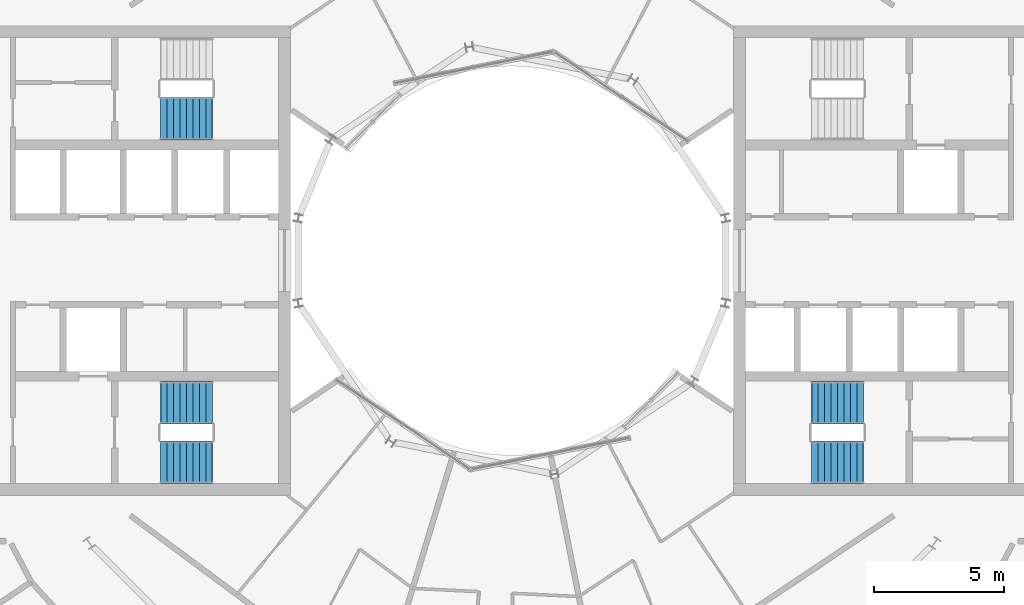
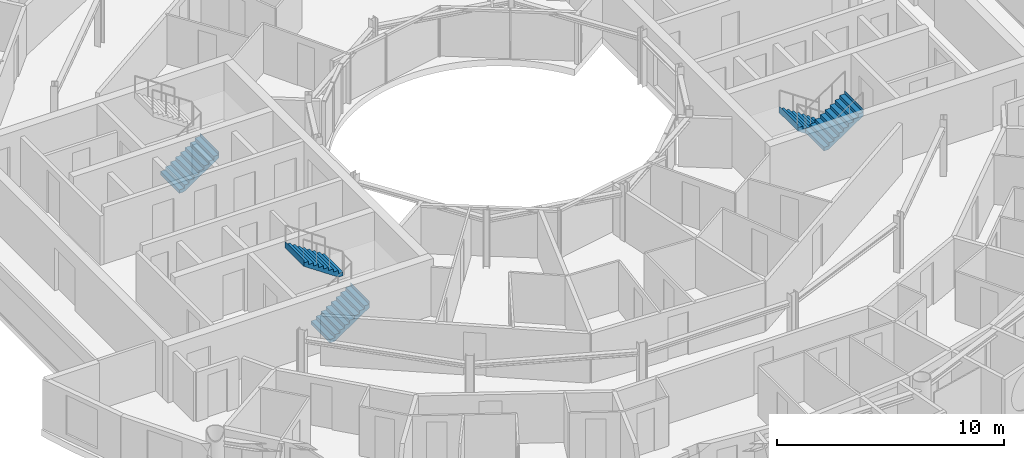
# One storey, part 25 of 28: 5 stair flights, 3 elements without a shape of their own.
"""IFC4 building model written with IfcOpenShell, lengths in metres."""

from ifc_helpers import new_model, si_unit, direction, frame, origin, place, context, subcontext, project, spatial, triangles, material, type_object, element, aggregate, save


model = new_model("IFC4")

# Units and contexts
model_context = context("Model", 3, precision=1e-05, world=origin(), true_north=direction((0.0, 1.0)))
body_context = subcontext(model_context, "Body", "Model", "MODEL_VIEW")
ifc_project = project(units=[si_unit("LENGTHUNIT", "METRE"), si_unit("AREAUNIT", "SQUARE_METRE"), si_unit("VOLUMEUNIT", "CUBIC_METRE"), si_unit("PLANEANGLEUNIT", "RADIAN"), si_unit("MASSUNIT", "GRAM", prefix="KILO")], contexts=[model_context])

# Site, building, storey
site_placement = place(None, origin())
site = spatial("IfcSite", under=ifc_project, at=site_placement, CompositionType="ELEMENT")
building_placement = place(site_placement, origin())
building = spatial("IfcBuilding", under=site, at=building_placement, Name="Maasbend Ring Residences", CompositionType="ELEMENT")
storey_placement = place(building_placement, frame((0.0, 0.0, 218.800048828125)))
storey = spatial("IfcBuildingStorey", under=building, at=storey_placement, Name="L63", CompositionType="ELEMENT", Elevation=218.800048828125)

# Stair, stair flights
ifc_material_1 = material(Name="Concrete C40/50", Category="concrete")
stair_type = type_object("IfcStairType", Name="CORE STAIR 18 RISERS", PredefinedType="HALF_TURN_STAIR", material=ifc_material_1)
stair_1_placement = place(storey_placement, origin())
stair_1 = element("IfcStair", 1, at=stair_1_placement, inside=storey, type_object=stair_type, Name="L63 Exit stair ST-E2", PredefinedType="HALF_TURN_STAIR")
ifc_material_2 = material(Name="Concrete C40/50", Category="concrete")
stair_flight_type = type_object("IfcStairFlightType", Name="CORE STAIR FLIGHT 1650", PredefinedType="STRAIGHT", material=ifc_material_2)
stair_flight_1_placement = place(storey_placement, frame((13.550048828125, -5.47509765625, 0.0), z_axis=(0.0, 0.0, 1.0), x_axis=(-1.0, 0.0, 0.0)))
stair_flight_1 = element("IfcStairFlight", 2, at=stair_flight_1_placement, type_object=stair_flight_type, Name="ST-E2 flight 1", NumberOfRisers=9, NumberOfTreads=8, PredefinedType="STRAIGHT", RiserHeight=0.169444444, TreadLength=0.25, context=body_context, shape_type="Tessellation", body=[
    triangles([(0.24072265625, 0.824951171875, -0.02001953125), (2.0029296875, 0.824951171875, 1.174560546875), (2.0029296875, 0.824951171875, 1.52490234375), (1.989990234375, 0.824951171875, 1.35546875), (1.75, 0.824951171875, 1.35546875), (1.75, 0.824951171875, 1.18603515625), (1.5, 0.824951171875, 1.18603515625), (1.5, 0.824951171875, 1.0166015625), (1.25, 0.824951171875, 1.0166015625), (1.25, 0.824951171875, 0.84716796875), (1.0, 0.824951171875, 0.84716796875), (1.0, 0.824951171875, 0.677734375), (0.75, 0.824951171875, 0.677734375), (0.75, 0.824951171875, 0.50830078125), (0.5, 0.824951171875, 0.50830078125), (0.5, 0.824951171875, 0.3388671875), (0.25, 0.824951171875, 0.3388671875), (0.25, 0.824951171875, 0.16943359375), (0.0, 0.824951171875, 0.16943359375), (0.0, 0.824951171875, 0.0), (-0.0029296875, 0.824951171875, 0.0), (-0.0029296875, 0.824951171875, -0.02001953125), (0.24072265625, 0.27490234375, -0.02001953125), (2.0029296875, 0.27490234375, 1.174560546875), (2.0029296875, 0.27490234375, 1.52490234375), (1.989990234375, 0.27490234375, 1.35546875), (1.75, 0.27490234375, 1.35546875), (1.75, 0.27490234375, 1.18603515625), (1.5, 0.27490234375, 1.18603515625), (1.5, 0.27490234375, 1.0166015625), (1.25, 0.27490234375, 1.0166015625), (1.25, 0.27490234375, 0.84716796875), (1.0, 0.27490234375, 0.84716796875), (1.0, 0.27490234375, 0.677734375), (0.75, 0.27490234375, 0.677734375), (0.75, 0.27490234375, 0.50830078125), (0.5, 0.27490234375, 0.50830078125), (0.5, 0.27490234375, 0.3388671875), (0.25, 0.27490234375, 0.3388671875), (0.25, 0.27490234375, 0.16943359375), (0.0, 0.27490234375, 0.16943359375), (0.0, 0.27490234375, 0.0), (-0.0029296875, 0.27490234375, 0.0), (-0.0029296875, 0.27490234375, -0.02001953125), (0.24072265625, -0.27490234375, -0.02001953125), (2.0029296875, -0.27490234375, 1.174560546875), (2.0029296875, -0.27490234375, 1.52490234375), (1.989990234375, -0.27490234375, 1.35546875), (1.75, -0.27490234375, 1.35546875), (1.75, -0.27490234375, 1.18603515625), (1.5, -0.27490234375, 1.18603515625), (1.5, -0.27490234375, 1.0166015625), (1.25, -0.27490234375, 1.0166015625), (1.25, -0.27490234375, 0.84716796875), (1.0, -0.27490234375, 0.84716796875), (1.0, -0.27490234375, 0.677734375), (0.75, -0.27490234375, 0.677734375), (0.75, -0.27490234375, 0.50830078125), (0.5, -0.27490234375, 0.50830078125), (0.5, -0.27490234375, 0.3388671875), (0.25, -0.27490234375, 0.3388671875), (0.25, -0.27490234375, 0.16943359375), (0.0, -0.27490234375, 0.16943359375), (0.0, -0.27490234375, 0.0), (-0.0029296875, -0.27490234375, 0.0), (-0.0029296875, -0.27490234375, -0.02001953125), (0.24072265625, -0.824951171875, -0.02001953125), (2.0029296875, -0.824951171875, 1.174560546875), (2.0029296875, -0.824951171875, 1.52490234375), (1.989990234375, -0.824951171875, 1.35546875), (1.75, -0.824951171875, 1.35546875), (1.75, -0.824951171875, 1.18603515625), (1.5, -0.824951171875, 1.18603515625), (1.5, -0.824951171875, 1.0166015625), (1.25, -0.824951171875, 1.0166015625), (1.25, -0.824951171875, 0.84716796875), (1.0, -0.824951171875, 0.84716796875), (1.0, -0.824951171875, 0.677734375), (0.75, -0.824951171875, 0.677734375), (0.75, -0.824951171875, 0.50830078125), (0.5, -0.824951171875, 0.50830078125), (0.5, -0.824951171875, 0.3388671875), (0.25, -0.824951171875, 0.3388671875), (0.25, -0.824951171875, 0.16943359375), (0.0, -0.824951171875, 0.16943359375), (0.0, -0.824951171875, 0.0), (-0.0029296875, -0.824951171875, 0.0), (-0.0029296875, -0.824951171875, -0.02001953125)], [[1, 2, 24], [1, 24, 23], [23, 24, 46], [23, 46, 45], [45, 46, 68], [45, 68, 67], [2, 3, 25], [2, 25, 24], [24, 25, 47], [24, 47, 46], [46, 47, 69], [46, 69, 68], [3, 4, 26], [3, 26, 25], [25, 26, 48], [25, 48, 47], [47, 48, 70], [47, 70, 69], [4, 5, 27], [4, 27, 26], [26, 27, 49], [26, 49, 48], [48, 49, 71], [48, 71, 70], [5, 6, 28], [5, 28, 27], [27, 28, 50], [27, 50, 49], [49, 50, 72], [49, 72, 71], [6, 7, 29], [6, 29, 28], [28, 29, 51], [28, 51, 50], [50, 51, 73], [50, 73, 72], [7, 8, 30], [7, 30, 29], [29, 30, 52], [29, 52, 51], [51, 52, 74], [51, 74, 73], [8, 9, 31], [8, 31, 30], [30, 31, 53], [30, 53, 52], [52, 53, 75], [52, 75, 74], [9, 10, 32], [9, 32, 31], [31, 32, 54], [31, 54, 53], [53, 54, 76], [53, 76, 75], [10, 11, 33], [10, 33, 32], [32, 33, 55], [32, 55, 54], [54, 55, 77], [54, 77, 76], [11, 12, 34], [11, 34, 33], [33, 34, 56], [33, 56, 55], [55, 56, 78], [55, 78, 77], [12, 13, 35], [12, 35, 34], [34, 35, 57], [34, 57, 56], [56, 57, 79], [56, 79, 78], [13, 14, 36], [13, 36, 35], [35, 36, 58], [35, 58, 57], [57, 58, 80], [57, 80, 79], [14, 15, 37], [14, 37, 36], [36, 37, 59], [36, 59, 58], [58, 59, 81], [58, 81, 80], [15, 16, 38], [15, 38, 37], [37, 38, 60], [37, 60, 59], [59, 60, 82], [59, 82, 81], [16, 17, 39], [16, 39, 38], [38, 39, 61], [38, 61, 60], [60, 61, 83], [60, 83, 82], [17, 18, 40], [17, 40, 39], [39, 40, 62], [39, 62, 61], [61, 62, 84], [61, 84, 83], [18, 19, 41], [18, 41, 40], [40, 41, 63], [40, 63, 62], [62, 63, 85], [62, 85, 84], [19, 20, 42], [19, 42, 41], [41, 42, 64], [41, 64, 63], [63, 64, 86], [63, 86, 85], [20, 21, 43], [20, 43, 42], [42, 43, 65], [42, 65, 64], [64, 65, 87], [64, 87, 86], [21, 22, 44], [21, 44, 43], [43, 44, 66], [43, 66, 65], [65, 66, 88], [65, 88, 87], [22, 1, 23], [22, 23, 44], [44, 23, 45], [44, 45, 66], [66, 45, 67], [66, 67, 88], [22, 2, 1], [2, 4, 3], [2, 5, 4], [2, 6, 5], [22, 6, 2], [6, 8, 7], [22, 8, 6], [8, 10, 9], [22, 10, 8], [10, 12, 11], [22, 12, 10], [12, 14, 13], [22, 14, 12], [14, 16, 15], [22, 16, 14], [16, 18, 17], [22, 18, 16], [18, 20, 19], [22, 20, 18], [20, 22, 21], [88, 67, 68], [68, 69, 70], [68, 70, 71], [68, 71, 72], [88, 68, 72], [72, 73, 74], [88, 72, 74], [74, 75, 76], [88, 74, 76], [76, 77, 78], [88, 76, 78], [78, 79, 80], [88, 78, 80], [80, 81, 82], [88, 80, 82], [82, 83, 84], [88, 82, 84], [84, 85, 86], [88, 84, 86], [86, 87, 88]], closed=True),
])
stair_flight_2_placement = place(storey_placement, frame((11.550048828125, -7.77490234375, 1.52490234375), z_axis=(0.0, 0.0, 1.0), x_axis=(1.0, 0.0, 0.0)))
stair_flight_2 = element("IfcStairFlight", 3, at=stair_flight_2_placement, type_object=stair_flight_type, Name="ST-E2 flight 2", NumberOfRisers=9, NumberOfTreads=8, PredefinedType="STRAIGHT", RiserHeight=0.169444444, TreadLength=0.25, context=body_context, shape_type="Tessellation", body=[
    triangles([(0.24072265625, 0.824951171875, -0.02001953125), (2.0029296875, 0.824951171875, 1.174560546875), (2.0029296875, 0.824951171875, 1.52490234375), (1.989990234375, 0.824951171875, 1.35546875), (1.75, 0.824951171875, 1.35546875), (1.75, 0.824951171875, 1.18603515625), (1.5, 0.824951171875, 1.18603515625), (1.5, 0.824951171875, 1.0166015625), (1.25, 0.824951171875, 1.0166015625), (1.25, 0.824951171875, 0.84716796875), (1.0, 0.824951171875, 0.84716796875), (1.0, 0.824951171875, 0.677734375), (0.75, 0.824951171875, 0.677734375), (0.75, 0.824951171875, 0.50830078125), (0.5, 0.824951171875, 0.50830078125), (0.5, 0.824951171875, 0.3388671875), (0.25, 0.824951171875, 0.3388671875), (0.25, 0.824951171875, 0.16943359375), (0.0, 0.824951171875, 0.16943359375), (0.0, 0.824951171875, 0.0), (-0.0029296875, 0.824951171875, 0.0), (-0.0029296875, 0.824951171875, -0.02001953125), (0.24072265625, 0.27490234375, -0.02001953125), (2.0029296875, 0.27490234375, 1.174560546875), (2.0029296875, 0.27490234375, 1.52490234375), (1.989990234375, 0.27490234375, 1.35546875), (1.75, 0.27490234375, 1.35546875), (1.75, 0.27490234375, 1.18603515625), (1.5, 0.27490234375, 1.18603515625), (1.5, 0.27490234375, 1.0166015625), (1.25, 0.27490234375, 1.0166015625), (1.25, 0.27490234375, 0.84716796875), (1.0, 0.27490234375, 0.84716796875), (1.0, 0.27490234375, 0.677734375), (0.75, 0.27490234375, 0.677734375), (0.75, 0.27490234375, 0.50830078125), (0.5, 0.27490234375, 0.50830078125), (0.5, 0.27490234375, 0.3388671875), (0.25, 0.27490234375, 0.3388671875), (0.25, 0.27490234375, 0.16943359375), (0.0, 0.27490234375, 0.16943359375), (0.0, 0.27490234375, 0.0), (-0.0029296875, 0.27490234375, 0.0), (-0.0029296875, 0.27490234375, -0.02001953125), (0.24072265625, -0.27490234375, -0.02001953125), (2.0029296875, -0.27490234375, 1.174560546875), (2.0029296875, -0.27490234375, 1.52490234375), (1.989990234375, -0.27490234375, 1.35546875), (1.75, -0.27490234375, 1.35546875), (1.75, -0.27490234375, 1.18603515625), (1.5, -0.27490234375, 1.18603515625), (1.5, -0.27490234375, 1.0166015625), (1.25, -0.27490234375, 1.0166015625), (1.25, -0.27490234375, 0.84716796875), (1.0, -0.27490234375, 0.84716796875), (1.0, -0.27490234375, 0.677734375), (0.75, -0.27490234375, 0.677734375), (0.75, -0.27490234375, 0.50830078125), (0.5, -0.27490234375, 0.50830078125), (0.5, -0.27490234375, 0.3388671875), (0.25, -0.27490234375, 0.3388671875), (0.25, -0.27490234375, 0.16943359375), (0.0, -0.27490234375, 0.16943359375), (0.0, -0.27490234375, 0.0), (-0.0029296875, -0.27490234375, 0.0), (-0.0029296875, -0.27490234375, -0.02001953125), (0.24072265625, -0.824951171875, -0.02001953125), (2.0029296875, -0.824951171875, 1.174560546875), (2.0029296875, -0.824951171875, 1.52490234375), (1.989990234375, -0.824951171875, 1.35546875), (1.75, -0.824951171875, 1.35546875), (1.75, -0.824951171875, 1.18603515625), (1.5, -0.824951171875, 1.18603515625), (1.5, -0.824951171875, 1.0166015625), (1.25, -0.824951171875, 1.0166015625), (1.25, -0.824951171875, 0.84716796875), (1.0, -0.824951171875, 0.84716796875), (1.0, -0.824951171875, 0.677734375), (0.75, -0.824951171875, 0.677734375), (0.75, -0.824951171875, 0.50830078125), (0.5, -0.824951171875, 0.50830078125), (0.5, -0.824951171875, 0.3388671875), (0.25, -0.824951171875, 0.3388671875), (0.25, -0.824951171875, 0.16943359375), (0.0, -0.824951171875, 0.16943359375), (0.0, -0.824951171875, 0.0), (-0.0029296875, -0.824951171875, 0.0), (-0.0029296875, -0.824951171875, -0.02001953125)], [[1, 2, 24], [1, 24, 23], [23, 24, 46], [23, 46, 45], [45, 46, 68], [45, 68, 67], [2, 3, 25], [2, 25, 24], [24, 25, 47], [24, 47, 46], [46, 47, 69], [46, 69, 68], [3, 4, 26], [3, 26, 25], [25, 26, 48], [25, 48, 47], [47, 48, 70], [47, 70, 69], [4, 5, 27], [4, 27, 26], [26, 27, 49], [26, 49, 48], [48, 49, 71], [48, 71, 70], [5, 6, 28], [5, 28, 27], [27, 28, 50], [27, 50, 49], [49, 50, 72], [49, 72, 71], [6, 7, 29], [6, 29, 28], [28, 29, 51], [28, 51, 50], [50, 51, 73], [50, 73, 72], [7, 8, 30], [7, 30, 29], [29, 30, 52], [29, 52, 51], [51, 52, 74], [51, 74, 73], [8, 9, 31], [8, 31, 30], [30, 31, 53], [30, 53, 52], [52, 53, 75], [52, 75, 74], [9, 10, 32], [9, 32, 31], [31, 32, 54], [31, 54, 53], [53, 54, 76], [53, 76, 75], [10, 11, 33], [10, 33, 32], [32, 33, 55], [32, 55, 54], [54, 55, 77], [54, 77, 76], [11, 12, 34], [11, 34, 33], [33, 34, 56], [33, 56, 55], [55, 56, 78], [55, 78, 77], [12, 13, 35], [12, 35, 34], [34, 35, 57], [34, 57, 56], [56, 57, 79], [56, 79, 78], [13, 14, 36], [13, 36, 35], [35, 36, 58], [35, 58, 57], [57, 58, 80], [57, 80, 79], [14, 15, 37], [14, 37, 36], [36, 37, 59], [36, 59, 58], [58, 59, 81], [58, 81, 80], [15, 16, 38], [15, 38, 37], [37, 38, 60], [37, 60, 59], [59, 60, 82], [59, 82, 81], [16, 17, 39], [16, 39, 38], [38, 39, 61], [38, 61, 60], [60, 61, 83], [60, 83, 82], [17, 18, 40], [17, 40, 39], [39, 40, 62], [39, 62, 61], [61, 62, 84], [61, 84, 83], [18, 19, 41], [18, 41, 40], [40, 41, 63], [40, 63, 62], [62, 63, 85], [62, 85, 84], [19, 20, 42], [19, 42, 41], [41, 42, 64], [41, 64, 63], [63, 64, 86], [63, 86, 85], [20, 21, 43], [20, 43, 42], [42, 43, 65], [42, 65, 64], [64, 65, 87], [64, 87, 86], [21, 22, 44], [21, 44, 43], [43, 44, 66], [43, 66, 65], [65, 66, 88], [65, 88, 87], [22, 1, 23], [22, 23, 44], [44, 23, 45], [44, 45, 66], [66, 45, 67], [66, 67, 88], [22, 2, 1], [2, 4, 3], [2, 5, 4], [2, 6, 5], [22, 6, 2], [6, 8, 7], [22, 8, 6], [8, 10, 9], [22, 10, 8], [10, 12, 11], [22, 12, 10], [12, 14, 13], [22, 14, 12], [14, 16, 15], [22, 16, 14], [16, 18, 17], [22, 18, 16], [18, 20, 19], [22, 20, 18], [20, 22, 21], [88, 67, 68], [68, 69, 70], [68, 70, 71], [68, 71, 72], [88, 68, 72], [72, 73, 74], [88, 72, 74], [74, 75, 76], [88, 74, 76], [76, 77, 78], [88, 76, 78], [78, 79, 80], [88, 78, 80], [80, 81, 82], [88, 80, 82], [82, 83, 84], [88, 82, 84], [84, 85, 86], [88, 84, 86], [86, 87, 88]], closed=True),
])
aggregate(stair_1, [stair_flight_1, stair_flight_2])

stair_2_placement = place(storey_placement, origin())
stair_2 = element("IfcStair", 4, at=stair_2_placement, inside=storey, type_object=stair_type, Name="L63 Exit stair ST-W1", PredefinedType="HALF_TURN_STAIR")
stair_flight_3_placement = place(storey_placement, frame((-13.550048828125, -7.77490234375, 0.0), z_axis=(0.0, 0.0, 1.0), x_axis=(1.0, 0.0, 0.0)))
stair_flight_3 = element("IfcStairFlight", 5, at=stair_flight_3_placement, type_object=stair_flight_type, Name="ST-W1 flight 1", NumberOfRisers=9, NumberOfTreads=8, PredefinedType="STRAIGHT", RiserHeight=0.169444444, TreadLength=0.25, context=body_context, shape_type="Tessellation", body=[
    triangles([(0.24072265625, 0.824951171875, -0.02001953125), (2.0029296875, 0.824951171875, 1.174560546875), (2.0029296875, 0.824951171875, 1.52490234375), (1.989990234375, 0.824951171875, 1.35546875), (1.75, 0.824951171875, 1.35546875), (1.75, 0.824951171875, 1.18603515625), (1.5, 0.824951171875, 1.18603515625), (1.5, 0.824951171875, 1.0166015625), (1.25, 0.824951171875, 1.0166015625), (1.25, 0.824951171875, 0.84716796875), (1.0, 0.824951171875, 0.84716796875), (1.0, 0.824951171875, 0.677734375), (0.75, 0.824951171875, 0.677734375), (0.75, 0.824951171875, 0.50830078125), (0.5, 0.824951171875, 0.50830078125), (0.5, 0.824951171875, 0.3388671875), (0.25, 0.824951171875, 0.3388671875), (0.25, 0.824951171875, 0.16943359375), (0.0, 0.824951171875, 0.16943359375), (0.0, 0.824951171875, 0.0), (-0.0029296875, 0.824951171875, 0.0), (-0.0029296875, 0.824951171875, -0.02001953125), (0.24072265625, 0.27490234375, -0.02001953125), (2.0029296875, 0.27490234375, 1.174560546875), (2.0029296875, 0.27490234375, 1.52490234375), (1.989990234375, 0.27490234375, 1.35546875), (1.75, 0.27490234375, 1.35546875), (1.75, 0.27490234375, 1.18603515625), (1.5, 0.27490234375, 1.18603515625), (1.5, 0.27490234375, 1.0166015625), (1.25, 0.27490234375, 1.0166015625), (1.25, 0.27490234375, 0.84716796875), (1.0, 0.27490234375, 0.84716796875), (1.0, 0.27490234375, 0.677734375), (0.75, 0.27490234375, 0.677734375), (0.75, 0.27490234375, 0.50830078125), (0.5, 0.27490234375, 0.50830078125), (0.5, 0.27490234375, 0.3388671875), (0.25, 0.27490234375, 0.3388671875), (0.25, 0.27490234375, 0.16943359375), (0.0, 0.27490234375, 0.16943359375), (0.0, 0.27490234375, 0.0), (-0.0029296875, 0.27490234375, 0.0), (-0.0029296875, 0.27490234375, -0.02001953125), (0.24072265625, -0.27490234375, -0.02001953125), (2.0029296875, -0.27490234375, 1.174560546875), (2.0029296875, -0.27490234375, 1.52490234375), (1.989990234375, -0.27490234375, 1.35546875), (1.75, -0.27490234375, 1.35546875), (1.75, -0.27490234375, 1.18603515625), (1.5, -0.27490234375, 1.18603515625), (1.5, -0.27490234375, 1.0166015625), (1.25, -0.27490234375, 1.0166015625), (1.25, -0.27490234375, 0.84716796875), (1.0, -0.27490234375, 0.84716796875), (1.0, -0.27490234375, 0.677734375), (0.75, -0.27490234375, 0.677734375), (0.75, -0.27490234375, 0.50830078125), (0.5, -0.27490234375, 0.50830078125), (0.5, -0.27490234375, 0.3388671875), (0.25, -0.27490234375, 0.3388671875), (0.25, -0.27490234375, 0.16943359375), (0.0, -0.27490234375, 0.16943359375), (0.0, -0.27490234375, 0.0), (-0.0029296875, -0.27490234375, 0.0), (-0.0029296875, -0.27490234375, -0.02001953125), (0.24072265625, -0.824951171875, -0.02001953125), (2.0029296875, -0.824951171875, 1.174560546875), (2.0029296875, -0.824951171875, 1.52490234375), (1.989990234375, -0.824951171875, 1.35546875), (1.75, -0.824951171875, 1.35546875), (1.75, -0.824951171875, 1.18603515625), (1.5, -0.824951171875, 1.18603515625), (1.5, -0.824951171875, 1.0166015625), (1.25, -0.824951171875, 1.0166015625), (1.25, -0.824951171875, 0.84716796875), (1.0, -0.824951171875, 0.84716796875), (1.0, -0.824951171875, 0.677734375), (0.75, -0.824951171875, 0.677734375), (0.75, -0.824951171875, 0.50830078125), (0.5, -0.824951171875, 0.50830078125), (0.5, -0.824951171875, 0.3388671875), (0.25, -0.824951171875, 0.3388671875), (0.25, -0.824951171875, 0.16943359375), (0.0, -0.824951171875, 0.16943359375), (0.0, -0.824951171875, 0.0), (-0.0029296875, -0.824951171875, 0.0), (-0.0029296875, -0.824951171875, -0.02001953125)], [[1, 2, 24], [1, 24, 23], [23, 24, 46], [23, 46, 45], [45, 46, 68], [45, 68, 67], [2, 3, 25], [2, 25, 24], [24, 25, 47], [24, 47, 46], [46, 47, 69], [46, 69, 68], [3, 4, 26], [3, 26, 25], [25, 26, 48], [25, 48, 47], [47, 48, 70], [47, 70, 69], [4, 5, 27], [4, 27, 26], [26, 27, 49], [26, 49, 48], [48, 49, 71], [48, 71, 70], [5, 6, 28], [5, 28, 27], [27, 28, 50], [27, 50, 49], [49, 50, 72], [49, 72, 71], [6, 7, 29], [6, 29, 28], [28, 29, 51], [28, 51, 50], [50, 51, 73], [50, 73, 72], [7, 8, 30], [7, 30, 29], [29, 30, 52], [29, 52, 51], [51, 52, 74], [51, 74, 73], [8, 9, 31], [8, 31, 30], [30, 31, 53], [30, 53, 52], [52, 53, 75], [52, 75, 74], [9, 10, 32], [9, 32, 31], [31, 32, 54], [31, 54, 53], [53, 54, 76], [53, 76, 75], [10, 11, 33], [10, 33, 32], [32, 33, 55], [32, 55, 54], [54, 55, 77], [54, 77, 76], [11, 12, 34], [11, 34, 33], [33, 34, 56], [33, 56, 55], [55, 56, 78], [55, 78, 77], [12, 13, 35], [12, 35, 34], [34, 35, 57], [34, 57, 56], [56, 57, 79], [56, 79, 78], [13, 14, 36], [13, 36, 35], [35, 36, 58], [35, 58, 57], [57, 58, 80], [57, 80, 79], [14, 15, 37], [14, 37, 36], [36, 37, 59], [36, 59, 58], [58, 59, 81], [58, 81, 80], [15, 16, 38], [15, 38, 37], [37, 38, 60], [37, 60, 59], [59, 60, 82], [59, 82, 81], [16, 17, 39], [16, 39, 38], [38, 39, 61], [38, 61, 60], [60, 61, 83], [60, 83, 82], [17, 18, 40], [17, 40, 39], [39, 40, 62], [39, 62, 61], [61, 62, 84], [61, 84, 83], [18, 19, 41], [18, 41, 40], [40, 41, 63], [40, 63, 62], [62, 63, 85], [62, 85, 84], [19, 20, 42], [19, 42, 41], [41, 42, 64], [41, 64, 63], [63, 64, 86], [63, 86, 85], [20, 21, 43], [20, 43, 42], [42, 43, 65], [42, 65, 64], [64, 65, 87], [64, 87, 86], [21, 22, 44], [21, 44, 43], [43, 44, 66], [43, 66, 65], [65, 66, 88], [65, 88, 87], [22, 1, 23], [22, 23, 44], [44, 23, 45], [44, 45, 66], [66, 45, 67], [66, 67, 88], [22, 2, 1], [2, 4, 3], [2, 5, 4], [2, 6, 5], [22, 6, 2], [6, 8, 7], [22, 8, 6], [8, 10, 9], [22, 10, 8], [10, 12, 11], [22, 12, 10], [12, 14, 13], [22, 14, 12], [14, 16, 15], [22, 16, 14], [16, 18, 17], [22, 18, 16], [18, 20, 19], [22, 20, 18], [20, 22, 21], [88, 67, 68], [68, 69, 70], [68, 70, 71], [68, 71, 72], [88, 68, 72], [72, 73, 74], [88, 72, 74], [74, 75, 76], [88, 74, 76], [76, 77, 78], [88, 76, 78], [78, 79, 80], [88, 78, 80], [80, 81, 82], [88, 80, 82], [82, 83, 84], [88, 82, 84], [84, 85, 86], [88, 84, 86], [86, 87, 88]], closed=True),
])
stair_flight_4_placement = place(storey_placement, frame((-11.550048828125, -5.47509765625, 1.52490234375), z_axis=(0.0, 0.0, 1.0), x_axis=(-1.0, 0.0, 0.0)))
stair_flight_4 = element("IfcStairFlight", 6, at=stair_flight_4_placement, type_object=stair_flight_type, Name="ST-W1 flight 2", NumberOfRisers=9, NumberOfTreads=8, PredefinedType="STRAIGHT", RiserHeight=0.169444444, TreadLength=0.25, context=body_context, shape_type="Tessellation", body=[
    triangles([(0.24072265625, 0.824951171875, -0.02001953125), (2.0029296875, 0.824951171875, 1.174560546875), (2.0029296875, 0.824951171875, 1.52490234375), (1.989990234375, 0.824951171875, 1.35546875), (1.75, 0.824951171875, 1.35546875), (1.75, 0.824951171875, 1.18603515625), (1.5, 0.824951171875, 1.18603515625), (1.5, 0.824951171875, 1.0166015625), (1.25, 0.824951171875, 1.0166015625), (1.25, 0.824951171875, 0.84716796875), (1.0, 0.824951171875, 0.84716796875), (1.0, 0.824951171875, 0.677734375), (0.75, 0.824951171875, 0.677734375), (0.75, 0.824951171875, 0.50830078125), (0.5, 0.824951171875, 0.50830078125), (0.5, 0.824951171875, 0.3388671875), (0.25, 0.824951171875, 0.3388671875), (0.25, 0.824951171875, 0.16943359375), (0.0, 0.824951171875, 0.16943359375), (0.0, 0.824951171875, 0.0), (-0.0029296875, 0.824951171875, 0.0), (-0.0029296875, 0.824951171875, -0.02001953125), (0.24072265625, 0.27490234375, -0.02001953125), (2.0029296875, 0.27490234375, 1.174560546875), (2.0029296875, 0.27490234375, 1.52490234375), (1.989990234375, 0.27490234375, 1.35546875), (1.75, 0.27490234375, 1.35546875), (1.75, 0.27490234375, 1.18603515625), (1.5, 0.27490234375, 1.18603515625), (1.5, 0.27490234375, 1.0166015625), (1.25, 0.27490234375, 1.0166015625), (1.25, 0.27490234375, 0.84716796875), (1.0, 0.27490234375, 0.84716796875), (1.0, 0.27490234375, 0.677734375), (0.75, 0.27490234375, 0.677734375), (0.75, 0.27490234375, 0.50830078125), (0.5, 0.27490234375, 0.50830078125), (0.5, 0.27490234375, 0.3388671875), (0.25, 0.27490234375, 0.3388671875), (0.25, 0.27490234375, 0.16943359375), (0.0, 0.27490234375, 0.16943359375), (0.0, 0.27490234375, 0.0), (-0.0029296875, 0.27490234375, 0.0), (-0.0029296875, 0.27490234375, -0.02001953125), (0.24072265625, -0.27490234375, -0.02001953125), (2.0029296875, -0.27490234375, 1.174560546875), (2.0029296875, -0.27490234375, 1.52490234375), (1.989990234375, -0.27490234375, 1.35546875), (1.75, -0.27490234375, 1.35546875), (1.75, -0.27490234375, 1.18603515625), (1.5, -0.27490234375, 1.18603515625), (1.5, -0.27490234375, 1.0166015625), (1.25, -0.27490234375, 1.0166015625), (1.25, -0.27490234375, 0.84716796875), (1.0, -0.27490234375, 0.84716796875), (1.0, -0.27490234375, 0.677734375), (0.75, -0.27490234375, 0.677734375), (0.75, -0.27490234375, 0.50830078125), (0.5, -0.27490234375, 0.50830078125), (0.5, -0.27490234375, 0.3388671875), (0.25, -0.27490234375, 0.3388671875), (0.25, -0.27490234375, 0.16943359375), (0.0, -0.27490234375, 0.16943359375), (0.0, -0.27490234375, 0.0), (-0.0029296875, -0.27490234375, 0.0), (-0.0029296875, -0.27490234375, -0.02001953125), (0.24072265625, -0.824951171875, -0.02001953125), (2.0029296875, -0.824951171875, 1.174560546875), (2.0029296875, -0.824951171875, 1.52490234375), (1.989990234375, -0.824951171875, 1.35546875), (1.75, -0.824951171875, 1.35546875), (1.75, -0.824951171875, 1.18603515625), (1.5, -0.824951171875, 1.18603515625), (1.5, -0.824951171875, 1.0166015625), (1.25, -0.824951171875, 1.0166015625), (1.25, -0.824951171875, 0.84716796875), (1.0, -0.824951171875, 0.84716796875), (1.0, -0.824951171875, 0.677734375), (0.75, -0.824951171875, 0.677734375), (0.75, -0.824951171875, 0.50830078125), (0.5, -0.824951171875, 0.50830078125), (0.5, -0.824951171875, 0.3388671875), (0.25, -0.824951171875, 0.3388671875), (0.25, -0.824951171875, 0.16943359375), (0.0, -0.824951171875, 0.16943359375), (0.0, -0.824951171875, 0.0), (-0.0029296875, -0.824951171875, 0.0), (-0.0029296875, -0.824951171875, -0.02001953125)], [[1, 2, 24], [1, 24, 23], [23, 24, 46], [23, 46, 45], [45, 46, 68], [45, 68, 67], [2, 3, 25], [2, 25, 24], [24, 25, 47], [24, 47, 46], [46, 47, 69], [46, 69, 68], [3, 4, 26], [3, 26, 25], [25, 26, 48], [25, 48, 47], [47, 48, 70], [47, 70, 69], [4, 5, 27], [4, 27, 26], [26, 27, 49], [26, 49, 48], [48, 49, 71], [48, 71, 70], [5, 6, 28], [5, 28, 27], [27, 28, 50], [27, 50, 49], [49, 50, 72], [49, 72, 71], [6, 7, 29], [6, 29, 28], [28, 29, 51], [28, 51, 50], [50, 51, 73], [50, 73, 72], [7, 8, 30], [7, 30, 29], [29, 30, 52], [29, 52, 51], [51, 52, 74], [51, 74, 73], [8, 9, 31], [8, 31, 30], [30, 31, 53], [30, 53, 52], [52, 53, 75], [52, 75, 74], [9, 10, 32], [9, 32, 31], [31, 32, 54], [31, 54, 53], [53, 54, 76], [53, 76, 75], [10, 11, 33], [10, 33, 32], [32, 33, 55], [32, 55, 54], [54, 55, 77], [54, 77, 76], [11, 12, 34], [11, 34, 33], [33, 34, 56], [33, 56, 55], [55, 56, 78], [55, 78, 77], [12, 13, 35], [12, 35, 34], [34, 35, 57], [34, 57, 56], [56, 57, 79], [56, 79, 78], [13, 14, 36], [13, 36, 35], [35, 36, 58], [35, 58, 57], [57, 58, 80], [57, 80, 79], [14, 15, 37], [14, 37, 36], [36, 37, 59], [36, 59, 58], [58, 59, 81], [58, 81, 80], [15, 16, 38], [15, 38, 37], [37, 38, 60], [37, 60, 59], [59, 60, 82], [59, 82, 81], [16, 17, 39], [16, 39, 38], [38, 39, 61], [38, 61, 60], [60, 61, 83], [60, 83, 82], [17, 18, 40], [17, 40, 39], [39, 40, 62], [39, 62, 61], [61, 62, 84], [61, 84, 83], [18, 19, 41], [18, 41, 40], [40, 41, 63], [40, 63, 62], [62, 63, 85], [62, 85, 84], [19, 20, 42], [19, 42, 41], [41, 42, 64], [41, 64, 63], [63, 64, 86], [63, 86, 85], [20, 21, 43], [20, 43, 42], [42, 43, 65], [42, 65, 64], [64, 65, 87], [64, 87, 86], [21, 22, 44], [21, 44, 43], [43, 44, 66], [43, 66, 65], [65, 66, 88], [65, 88, 87], [22, 1, 23], [22, 23, 44], [44, 23, 45], [44, 45, 66], [66, 45, 67], [66, 67, 88], [22, 2, 1], [2, 4, 3], [2, 5, 4], [2, 6, 5], [22, 6, 2], [6, 8, 7], [22, 8, 6], [8, 10, 9], [22, 10, 8], [10, 12, 11], [22, 12, 10], [12, 14, 13], [22, 14, 12], [14, 16, 15], [22, 16, 14], [16, 18, 17], [22, 18, 16], [18, 20, 19], [22, 20, 18], [20, 22, 21], [88, 67, 68], [68, 69, 70], [68, 70, 71], [68, 71, 72], [88, 68, 72], [72, 73, 74], [88, 72, 74], [74, 75, 76], [88, 74, 76], [76, 77, 78], [88, 76, 78], [78, 79, 80], [88, 78, 80], [80, 81, 82], [88, 80, 82], [82, 83, 84], [88, 82, 84], [84, 85, 86], [88, 84, 86], [86, 87, 88]], closed=True),
])
aggregate(stair_2, [stair_flight_3, stair_flight_4])

# Stair, stair flight
stair_3_placement = place(storey_placement, origin())
stair_3 = element("IfcStair", 7, at=stair_3_placement, inside=storey, type_object=stair_type, Name="L63 Exit stair ST-W2", PredefinedType="HALF_TURN_STAIR")
stair_flight_5_placement = place(storey_placement, frame((-13.550048828125, 5.47509765625, 0.0), z_axis=(0.0, 0.0, 1.0), x_axis=(1.0, 0.0, 0.0)))
stair_flight_5 = element("IfcStairFlight", 8, at=stair_flight_5_placement, type_object=stair_flight_type, Name="ST-W2 flight 1", NumberOfRisers=9, NumberOfTreads=8, PredefinedType="STRAIGHT", RiserHeight=0.169444444, TreadLength=0.25, context=body_context, shape_type="Tessellation", body=[
    triangles([(0.24072265625, 0.824951171875, -0.02001953125), (2.0029296875, 0.824951171875, 1.174560546875), (2.0029296875, 0.824951171875, 1.52490234375), (1.989990234375, 0.824951171875, 1.35546875), (1.75, 0.824951171875, 1.35546875), (1.75, 0.824951171875, 1.18603515625), (1.5, 0.824951171875, 1.18603515625), (1.5, 0.824951171875, 1.0166015625), (1.25, 0.824951171875, 1.0166015625), (1.25, 0.824951171875, 0.84716796875), (1.0, 0.824951171875, 0.84716796875), (1.0, 0.824951171875, 0.677734375), (0.75, 0.824951171875, 0.677734375), (0.75, 0.824951171875, 0.50830078125), (0.5, 0.824951171875, 0.50830078125), (0.5, 0.824951171875, 0.3388671875), (0.25, 0.824951171875, 0.3388671875), (0.25, 0.824951171875, 0.16943359375), (0.0, 0.824951171875, 0.16943359375), (0.0, 0.824951171875, 0.0), (-0.0029296875, 0.824951171875, 0.0), (-0.0029296875, 0.824951171875, -0.02001953125), (0.24072265625, 0.27490234375, -0.02001953125), (2.0029296875, 0.27490234375, 1.174560546875), (2.0029296875, 0.27490234375, 1.52490234375), (1.989990234375, 0.27490234375, 1.35546875), (1.75, 0.27490234375, 1.35546875), (1.75, 0.27490234375, 1.18603515625), (1.5, 0.27490234375, 1.18603515625), (1.5, 0.27490234375, 1.0166015625), (1.25, 0.27490234375, 1.0166015625), (1.25, 0.27490234375, 0.84716796875), (1.0, 0.27490234375, 0.84716796875), (1.0, 0.27490234375, 0.677734375), (0.75, 0.27490234375, 0.677734375), (0.75, 0.27490234375, 0.50830078125), (0.5, 0.27490234375, 0.50830078125), (0.5, 0.27490234375, 0.3388671875), (0.25, 0.27490234375, 0.3388671875), (0.25, 0.27490234375, 0.16943359375), (0.0, 0.27490234375, 0.16943359375), (0.0, 0.27490234375, 0.0), (-0.0029296875, 0.27490234375, 0.0), (-0.0029296875, 0.27490234375, -0.02001953125), (0.24072265625, -0.27490234375, -0.02001953125), (2.0029296875, -0.27490234375, 1.174560546875), (2.0029296875, -0.27490234375, 1.52490234375), (1.989990234375, -0.27490234375, 1.35546875), (1.75, -0.27490234375, 1.35546875), (1.75, -0.27490234375, 1.18603515625), (1.5, -0.27490234375, 1.18603515625), (1.5, -0.27490234375, 1.0166015625), (1.25, -0.27490234375, 1.0166015625), (1.25, -0.27490234375, 0.84716796875), (1.0, -0.27490234375, 0.84716796875), (1.0, -0.27490234375, 0.677734375), (0.75, -0.27490234375, 0.677734375), (0.75, -0.27490234375, 0.50830078125), (0.5, -0.27490234375, 0.50830078125), (0.5, -0.27490234375, 0.3388671875), (0.25, -0.27490234375, 0.3388671875), (0.25, -0.27490234375, 0.16943359375), (0.0, -0.27490234375, 0.16943359375), (0.0, -0.27490234375, 0.0), (-0.0029296875, -0.27490234375, 0.0), (-0.0029296875, -0.27490234375, -0.02001953125), (0.24072265625, -0.824951171875, -0.02001953125), (2.0029296875, -0.824951171875, 1.174560546875), (2.0029296875, -0.824951171875, 1.52490234375), (1.989990234375, -0.824951171875, 1.35546875), (1.75, -0.824951171875, 1.35546875), (1.75, -0.824951171875, 1.18603515625), (1.5, -0.824951171875, 1.18603515625), (1.5, -0.824951171875, 1.0166015625), (1.25, -0.824951171875, 1.0166015625), (1.25, -0.824951171875, 0.84716796875), (1.0, -0.824951171875, 0.84716796875), (1.0, -0.824951171875, 0.677734375), (0.75, -0.824951171875, 0.677734375), (0.75, -0.824951171875, 0.50830078125), (0.5, -0.824951171875, 0.50830078125), (0.5, -0.824951171875, 0.3388671875), (0.25, -0.824951171875, 0.3388671875), (0.25, -0.824951171875, 0.16943359375), (0.0, -0.824951171875, 0.16943359375), (0.0, -0.824951171875, 0.0), (-0.0029296875, -0.824951171875, 0.0), (-0.0029296875, -0.824951171875, -0.02001953125)], [[1, 2, 24], [1, 24, 23], [23, 24, 46], [23, 46, 45], [45, 46, 68], [45, 68, 67], [2, 3, 25], [2, 25, 24], [24, 25, 47], [24, 47, 46], [46, 47, 69], [46, 69, 68], [3, 4, 26], [3, 26, 25], [25, 26, 48], [25, 48, 47], [47, 48, 70], [47, 70, 69], [4, 5, 27], [4, 27, 26], [26, 27, 49], [26, 49, 48], [48, 49, 71], [48, 71, 70], [5, 6, 28], [5, 28, 27], [27, 28, 50], [27, 50, 49], [49, 50, 72], [49, 72, 71], [6, 7, 29], [6, 29, 28], [28, 29, 51], [28, 51, 50], [50, 51, 73], [50, 73, 72], [7, 8, 30], [7, 30, 29], [29, 30, 52], [29, 52, 51], [51, 52, 74], [51, 74, 73], [8, 9, 31], [8, 31, 30], [30, 31, 53], [30, 53, 52], [52, 53, 75], [52, 75, 74], [9, 10, 32], [9, 32, 31], [31, 32, 54], [31, 54, 53], [53, 54, 76], [53, 76, 75], [10, 11, 33], [10, 33, 32], [32, 33, 55], [32, 55, 54], [54, 55, 77], [54, 77, 76], [11, 12, 34], [11, 34, 33], [33, 34, 56], [33, 56, 55], [55, 56, 78], [55, 78, 77], [12, 13, 35], [12, 35, 34], [34, 35, 57], [34, 57, 56], [56, 57, 79], [56, 79, 78], [13, 14, 36], [13, 36, 35], [35, 36, 58], [35, 58, 57], [57, 58, 80], [57, 80, 79], [14, 15, 37], [14, 37, 36], [36, 37, 59], [36, 59, 58], [58, 59, 81], [58, 81, 80], [15, 16, 38], [15, 38, 37], [37, 38, 60], [37, 60, 59], [59, 60, 82], [59, 82, 81], [16, 17, 39], [16, 39, 38], [38, 39, 61], [38, 61, 60], [60, 61, 83], [60, 83, 82], [17, 18, 40], [17, 40, 39], [39, 40, 62], [39, 62, 61], [61, 62, 84], [61, 84, 83], [18, 19, 41], [18, 41, 40], [40, 41, 63], [40, 63, 62], [62, 63, 85], [62, 85, 84], [19, 20, 42], [19, 42, 41], [41, 42, 64], [41, 64, 63], [63, 64, 86], [63, 86, 85], [20, 21, 43], [20, 43, 42], [42, 43, 65], [42, 65, 64], [64, 65, 87], [64, 87, 86], [21, 22, 44], [21, 44, 43], [43, 44, 66], [43, 66, 65], [65, 66, 88], [65, 88, 87], [22, 1, 23], [22, 23, 44], [44, 23, 45], [44, 45, 66], [66, 45, 67], [66, 67, 88], [22, 2, 1], [2, 4, 3], [2, 5, 4], [2, 6, 5], [22, 6, 2], [6, 8, 7], [22, 8, 6], [8, 10, 9], [22, 10, 8], [10, 12, 11], [22, 12, 10], [12, 14, 13], [22, 14, 12], [14, 16, 15], [22, 16, 14], [16, 18, 17], [22, 18, 16], [18, 20, 19], [22, 20, 18], [20, 22, 21], [88, 67, 68], [68, 69, 70], [68, 70, 71], [68, 71, 72], [88, 68, 72], [72, 73, 74], [88, 72, 74], [74, 75, 76], [88, 74, 76], [76, 77, 78], [88, 76, 78], [78, 79, 80], [88, 78, 80], [80, 81, 82], [88, 80, 82], [82, 83, 84], [88, 82, 84], [84, 85, 86], [88, 84, 86], [86, 87, 88]], closed=True),
])
aggregate(stair_3, [stair_flight_5])

save(model, "model.ifc")
